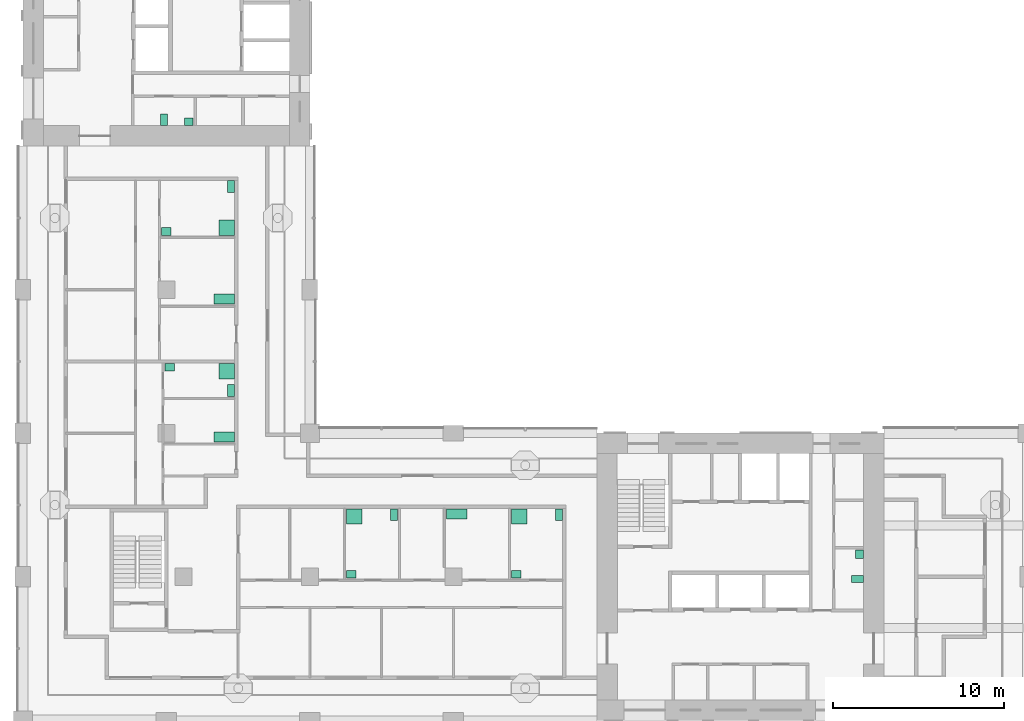
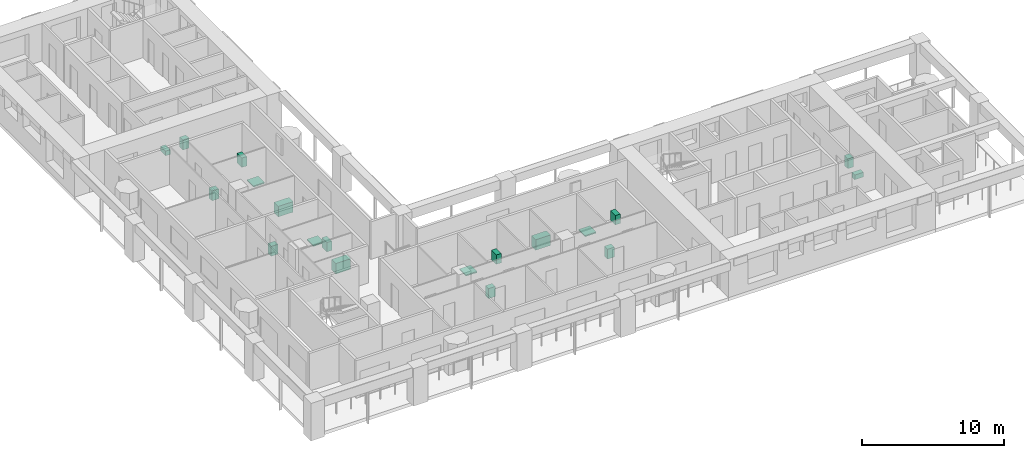
# One storey, part 11 of 13: 19 sanitary terminals.
"""IFC4 building model written with IfcOpenShell, lengths in metres."""

from ifc_helpers import new_model, si_unit, direction, frame, origin, origin_2d, place, context, subcontext, project, spatial, rectangle, extrude, material, element, save


model = new_model("IFC4")

# Units and contexts
model_context = context("Model", 3, precision=1e-05, world=origin(), true_north=direction((0.0, 1.0)))
body_context = subcontext(model_context, "Body", "Model", "MODEL_VIEW")
ifc_project = project(units=[si_unit("LENGTHUNIT", "METRE"), si_unit("AREAUNIT", "SQUARE_METRE"), si_unit("VOLUMEUNIT", "CUBIC_METRE"), si_unit("PLANEANGLEUNIT", "RADIAN"), si_unit("MASSUNIT", "GRAM", prefix="KILO")], contexts=[model_context])

# Site, building, storey
site_placement = place(None, origin())
site = spatial("IfcSite", under=ifc_project, at=site_placement, CompositionType="ELEMENT")
building_placement = place(site_placement, origin())
building = spatial("IfcBuilding", under=site, at=building_placement, Name="Vermilion Gate Residences", CompositionType="ELEMENT")
storey_placement = place(building_placement, frame((0.0, 0.0, 154.699951171875)))
storey = spatial("IfcBuildingStorey", under=building, at=storey_placement, Name="L39", CompositionType="ELEMENT", Elevation=154.699951171875)

# Sanitary terminals
ifc_material_1 = material(Name="Vitreous china")
sanitary_terminal_1_placement = place(storey_placement, frame((57.25, 16.659912109375, 0.0), z_axis=(0.0, 0.0, 1.0), x_axis=(1.0, 0.0, 0.0)))
element("IfcSanitaryTerminal", 1, at=sanitary_terminal_1_placement, inside=storey, material=ifc_material_1, Name="Toilet pan A39", PredefinedType="TOILETPAN", context=body_context, shape_type="SweptSolid", body=[
    extrude(rectangle(XDim=0.699951171875, YDim=0.39990234375, at=origin_2d()), origin(), (0.0, 0.0, 1.0), 0.39990234375),
])
sanitary_terminal_2_placement = place(storey_placement, frame((57.375, 18.1201171875, 0.0), z_axis=(0.0, 0.0, 1.0), x_axis=(1.0, 0.0, 0.0)))
element("IfcSanitaryTerminal", 2, at=sanitary_terminal_2_placement, inside=storey, material=ifc_material_1, Name="Washbasin A39", PredefinedType="WASHHANDBASIN", context=body_context, shape_type="SweptSolid", body=[
    extrude(rectangle(XDim=0.449951171875, YDim=0.5, at=origin_2d()), origin(), (0.0, 0.0, 1.0), 0.85009765625),
])
sanitary_terminal_3_placement = place(storey_placement, frame((16.659912109375, 43.550048828125, 0.0), z_axis=(0.0, 0.0, 1.0), x_axis=(1.0, 0.0, 0.0)))
element("IfcSanitaryTerminal", 3, at=sanitary_terminal_3_placement, inside=storey, material=ifc_material_1, Name="Toilet pan B39", PredefinedType="TOILETPAN", context=body_context, shape_type="SweptSolid", body=[
    extrude(rectangle(XDim=0.39990234375, YDim=0.699951171875, at=origin_2d()), origin(), (0.0, 0.0, 1.0), 0.39990234375),
])
sanitary_terminal_4_placement = place(storey_placement, frame((18.1201171875, 43.425048828125, 0.0), z_axis=(0.0, 0.0, 1.0), x_axis=(1.0, 0.0, 0.0)))
element("IfcSanitaryTerminal", 4, at=sanitary_terminal_4_placement, inside=storey, material=ifc_material_1, Name="Washbasin B39", PredefinedType="WASHHANDBASIN", context=body_context, shape_type="SweptSolid", body=[
    extrude(rectangle(XDim=0.5, YDim=0.449951171875, at=origin_2d()), origin(), (0.0, 0.0, 1.0), 0.85009765625),
])
sanitary_terminal_5_placement = place(storey_placement, frame((27.802978515625, 20.330078125, 0.0), z_axis=(0.0, 0.0, 1.0), x_axis=(1.0, 0.0, 0.0)))
element("IfcSanitaryTerminal", 5, at=sanitary_terminal_5_placement, inside=storey, material=ifc_material_1, Name="Shower tray", PredefinedType="SHOWER", context=body_context, shape_type="SweptSolid", body=[
    extrude(rectangle(XDim=0.89990234375, YDim=0.89990234375, at=origin_2d()), origin(), (0.0, 0.0, 1.0), 0.10009765625),
])
sanitary_terminal_6_placement = place(storey_placement, frame((30.1298828125, 20.429931640625, 0.0), z_axis=(0.0, 0.0, 1.0), x_axis=(1.0, 0.0, 0.0)))
element("IfcSanitaryTerminal", 6, at=sanitary_terminal_6_placement, inside=storey, material=ifc_material_1, Name="Toilet", PredefinedType="TOILETPAN", context=body_context, shape_type="SweptSolid", body=[
    extrude(rectangle(XDim=0.39990234375, YDim=0.699951171875, at=origin_2d()), origin(), (0.0, 0.0, 1.0), 0.800048828125),
])
sanitary_terminal_7_placement = place(storey_placement, frame((27.6279296875, 16.945068359375, 0.0), z_axis=(0.0, 0.0, 1.0), x_axis=(1.0, 0.0, 0.0)))
element("IfcSanitaryTerminal", 7, at=sanitary_terminal_7_placement, inside=storey, material=ifc_material_1, Name="Wash basin", PredefinedType="WASHHANDBASIN", context=body_context, shape_type="SweptSolid", body=[
    extrude(rectangle(XDim=0.550048828125, YDim=0.449951171875, at=origin_2d()), origin(), (0.0, 0.0, 1.0), 0.85009765625),
])
ifc_material_2 = material(Name="Stainless steel", Category="steel")
sanitary_terminal_8_placement = place(storey_placement, frame((33.787109375, 20.47998046875, 0.0), z_axis=(0.0, 0.0, 1.0), x_axis=(1.0, 0.0, 0.0)))
element("IfcSanitaryTerminal", 8, at=sanitary_terminal_8_placement, inside=storey, material=ifc_material_2, Name="Kitchen sink", PredefinedType="SINK", context=body_context, shape_type="SweptSolid", body=[
    extrude(rectangle(XDim=1.199951171875, YDim=0.60009765625, at=origin_2d()), origin(), (0.0, 0.0, 1.0), 0.89990234375),
])
sanitary_terminal_9_placement = place(storey_placement, frame((37.4541015625, 20.330078125, 0.0), z_axis=(0.0, 0.0, 1.0), x_axis=(1.0, 0.0, 0.0)))
element("IfcSanitaryTerminal", 9, at=sanitary_terminal_9_placement, inside=storey, material=ifc_material_1, Name="Shower tray", PredefinedType="SHOWER", context=body_context, shape_type="SweptSolid", body=[
    extrude(rectangle(XDim=0.89990234375, YDim=0.89990234375, at=origin_2d()), origin(), (0.0, 0.0, 1.0), 0.10009765625),
])
sanitary_terminal_10_placement = place(storey_placement, frame((39.780029296875, 20.429931640625, 0.0), z_axis=(0.0, 0.0, 1.0), x_axis=(1.0, 0.0, 0.0)))
element("IfcSanitaryTerminal", 10, at=sanitary_terminal_10_placement, inside=storey, material=ifc_material_1, Name="Toilet", PredefinedType="TOILETPAN", context=body_context, shape_type="SweptSolid", body=[
    extrude(rectangle(XDim=0.39990234375, YDim=0.699951171875, at=origin_2d()), origin(), (0.0, 0.0, 1.0), 0.800048828125),
])
sanitary_terminal_11_placement = place(storey_placement, frame((37.279052734375, 16.945068359375, 0.0), z_axis=(0.0, 0.0, 1.0), x_axis=(1.0, 0.0, 0.0)))
element("IfcSanitaryTerminal", 11, at=sanitary_terminal_11_placement, inside=storey, material=ifc_material_1, Name="Wash basin", PredefinedType="WASHHANDBASIN", context=body_context, shape_type="SweptSolid", body=[
    extrude(rectangle(XDim=0.550048828125, YDim=0.449951171875, at=origin_2d()), origin(), (0.0, 0.0, 1.0), 0.85009765625),
])
sanitary_terminal_12_placement = place(storey_placement, frame((20.179931640625, 24.98291015625, 0.0), z_axis=(0.0, 0.0, 1.0), x_axis=(1.0, 0.0, 0.0)))
element("IfcSanitaryTerminal", 12, at=sanitary_terminal_12_placement, inside=storey, material=ifc_material_2, Name="Kitchen sink", PredefinedType="SINK", context=body_context, shape_type="SweptSolid", body=[
    extrude(rectangle(XDim=1.199951171875, YDim=0.60009765625, at=origin_2d()), origin(), (0.0, 0.0, 1.0), 0.89990234375),
])
sanitary_terminal_13_placement = place(storey_placement, frame((20.330078125, 28.830078125, 0.0), z_axis=(0.0, 0.0, 1.0), x_axis=(1.0, 0.0, 0.0)))
element("IfcSanitaryTerminal", 13, at=sanitary_terminal_13_placement, inside=storey, material=ifc_material_1, Name="Shower tray", PredefinedType="SHOWER", context=body_context, shape_type="SweptSolid", body=[
    extrude(rectangle(XDim=0.89990234375, YDim=0.89990234375, at=origin_2d()), origin(), (0.0, 0.0, 1.0), 0.10009765625),
])
sanitary_terminal_14_placement = place(storey_placement, frame((20.580078125, 27.695068359375, 0.0), z_axis=(0.0, 0.0, 1.0), x_axis=(1.0, 0.0, 0.0)))
element("IfcSanitaryTerminal", 14, at=sanitary_terminal_14_placement, inside=storey, material=ifc_material_1, Name="Toilet", PredefinedType="TOILETPAN", context=body_context, shape_type="SweptSolid", body=[
    extrude(rectangle(XDim=0.39990234375, YDim=0.699951171875, at=origin_2d()), origin(), (0.0, 0.0, 1.0), 0.800048828125),
])
sanitary_terminal_15_placement = place(storey_placement, frame((16.9951171875, 29.054931640625, 0.0), z_axis=(0.0, 0.0, 1.0), x_axis=(1.0, 0.0, 0.0)))
element("IfcSanitaryTerminal", 15, at=sanitary_terminal_15_placement, inside=storey, material=ifc_material_1, Name="Wash basin", PredefinedType="WASHHANDBASIN", context=body_context, shape_type="SweptSolid", body=[
    extrude(rectangle(XDim=0.550048828125, YDim=0.449951171875, at=origin_2d()), origin(), (0.0, 0.0, 1.0), 0.85009765625),
])
sanitary_terminal_16_placement = place(storey_placement, frame((20.179931640625, 33.052978515625, 0.0), z_axis=(0.0, 0.0, 1.0), x_axis=(1.0, 0.0, 0.0)))
element("IfcSanitaryTerminal", 16, at=sanitary_terminal_16_placement, inside=storey, material=ifc_material_2, Name="Kitchen sink", PredefinedType="SINK", context=body_context, shape_type="SweptSolid", body=[
    extrude(rectangle(XDim=1.199951171875, YDim=0.60009765625, at=origin_2d()), origin(), (0.0, 0.0, 1.0), 0.89990234375),
])
sanitary_terminal_17_placement = place(storey_placement, frame((20.330078125, 37.237060546875, 0.0), z_axis=(0.0, 0.0, 1.0), x_axis=(1.0, 0.0, 0.0)))
element("IfcSanitaryTerminal", 17, at=sanitary_terminal_17_placement, inside=storey, material=ifc_material_1, Name="Shower tray", PredefinedType="SHOWER", context=body_context, shape_type="SweptSolid", body=[
    extrude(rectangle(XDim=0.89990234375, YDim=0.89990234375, at=origin_2d()), origin(), (0.0, 0.0, 1.0), 0.10009765625),
])
sanitary_terminal_18_placement = place(storey_placement, frame((20.580078125, 39.6298828125, 0.0), z_axis=(0.0, 0.0, 1.0), x_axis=(1.0, 0.0, 0.0)))
element("IfcSanitaryTerminal", 18, at=sanitary_terminal_18_placement, inside=storey, material=ifc_material_1, Name="Toilet", PredefinedType="TOILETPAN", context=body_context, shape_type="SweptSolid", body=[
    extrude(rectangle(XDim=0.39990234375, YDim=0.699951171875, at=origin_2d()), origin(), (0.0, 0.0, 1.0), 0.800048828125),
])
sanitary_terminal_19_placement = place(storey_placement, frame((16.794921875, 37.011962890625, 0.0), z_axis=(0.0, 0.0, 1.0), x_axis=(1.0, 0.0, 0.0)))
element("IfcSanitaryTerminal", 19, at=sanitary_terminal_19_placement, inside=storey, material=ifc_material_1, Name="Wash basin", PredefinedType="WASHHANDBASIN", context=body_context, shape_type="SweptSolid", body=[
    extrude(rectangle(XDim=0.550048828125, YDim=0.449951171875, at=origin_2d()), origin(), (0.0, 0.0, 1.0), 0.85009765625),
])

save(model, "model.ifc")
